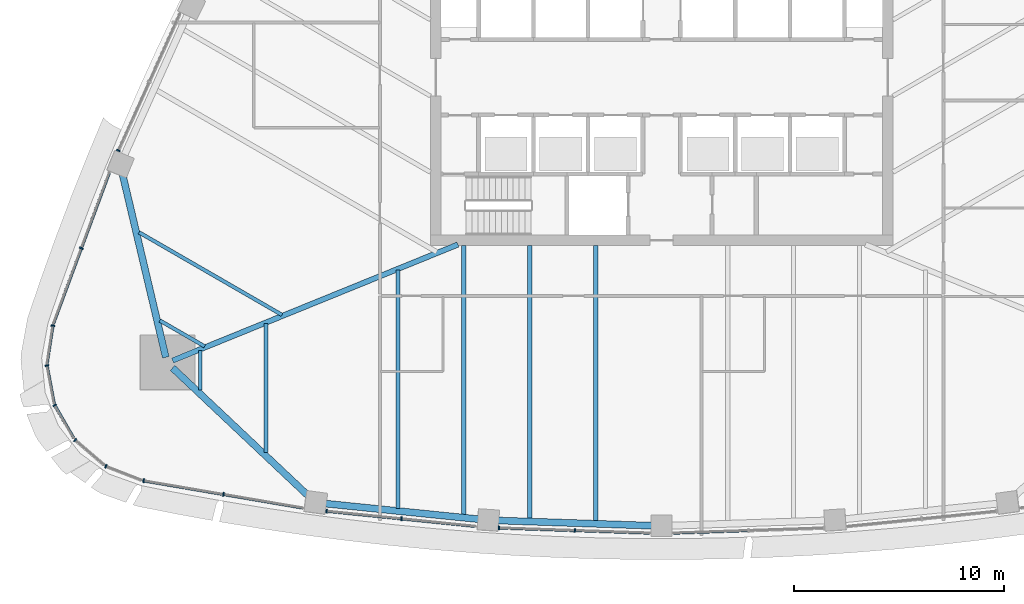
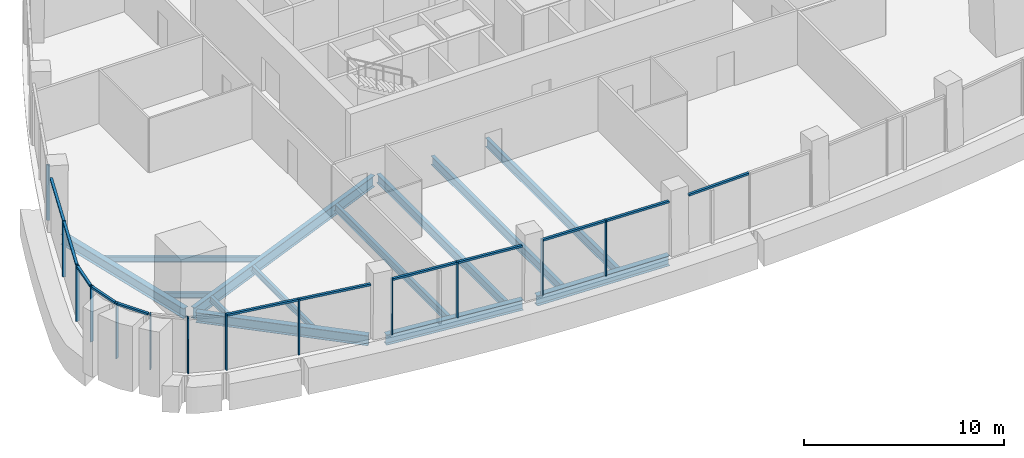
# One storey, part 2 of 16: 25 members, 13 beams, 11 elements without a shape of their own.
"""IFC4 building model written with IfcOpenShell, lengths in metres."""

from ifc_helpers import new_model, si_unit, direction, frame, origin, origin_2d, place, context, subcontext, project, spatial, rectangle, i_section, extrude, material, layer, layer_set, material_profile, profile_set, type_object, element, aggregate, save


model = new_model("IFC4")

# Units and contexts
model_context = context("Model", 3, precision=1e-05, world=origin(), true_north=direction((0.0, 1.0)))
body_context = subcontext(model_context, "Body", "Model", "MODEL_VIEW")
ifc_project = project(units=[si_unit("LENGTHUNIT", "METRE"), si_unit("AREAUNIT", "SQUARE_METRE"), si_unit("VOLUMEUNIT", "CUBIC_METRE"), si_unit("PLANEANGLEUNIT", "RADIAN"), si_unit("MASSUNIT", "GRAM", prefix="KILO")], contexts=[model_context])

# Site, building, storey
site_placement = place(None, origin())
site = spatial("IfcSite", under=ifc_project, at=site_placement, CompositionType="ELEMENT")
building_placement = place(site_placement, origin())
building = spatial("IfcBuilding", under=site, at=building_placement, Name="Sierra Prisma Convention Tower", CompositionType="ELEMENT")
storey_placement = place(building_placement, frame((0.0, 0.0, 181.800048828125)))
storey = spatial("IfcBuildingStorey", under=building, at=storey_placement, Name="L40", CompositionType="ELEMENT", Elevation=181.800048828125)

# Curtain wall, members
ifc_material_1 = material(Name="Aluminium and glass curtain wall", Category="aluminium")
ifc_layer = layer(ifc_material_1, 0.179931640625)
ifc_layer_set = layer_set([ifc_layer], Name="CW-1 Plain shaft curtain wall")
curtain_wall_type = type_object("IfcCurtainWallType", Name="CW-1 Plain shaft curtain wall", PredefinedType="NOTDEFINED", material=ifc_layer_set)
curtain_wall_1_placement = place(storey_placement, origin())
curtain_wall_1 = element("IfcCurtainWall", 1, at=curtain_wall_1_placement, inside=storey, type_object=curtain_wall_type, Name="CW-1 S1 L40", PredefinedType="NOTDEFINED")
ifc_material_2 = material(Name="Aluminium 6063-T6 bronze anodised", Category="aluminium")
ifc_material_profile_1 = material_profile(ifc_material_2, rectangle(XDim=0.179931640625, YDim=0.070068359375, at=origin_2d()), Name="ALU MULLION 70x180")
ifc_profile_set_1 = profile_set([ifc_material_profile_1], Name="Aluminium 6063-T6 bronze anodised")
member_type_1 = type_object("IfcMemberType", Name="CW mullion bronze", PredefinedType="MULLION", material=ifc_profile_set_1)
member_1_placement = place(storey_placement, frame((-24.640869140625, -19.191162109375, 0.0), z_axis=(0.0, 0.0, 1.0), x_axis=(0.168186649063, 0.985755167918, 0.0)))
member_1 = element("IfcMember", 2, at=member_1_placement, type_object=member_type_1, Name="CW-1 mullion S1.1", PredefinedType="MULLION", context=body_context, shape_type="SweptSolid", body=[
    extrude(rectangle(XDim=0.179931640625, YDim=0.070068359375, at=origin_2d()), origin(), (0.0, 0.0, 1.0), 3.39990234375),
])
member_2_placement = place(storey_placement, frame((-20.840576171875, -19.83935546875, 0.0), z_axis=(0.0, 0.0, 1.0), x_axis=(0.168186649063, 0.985755167918, 0.0)))
member_2 = element("IfcMember", 3, at=member_2_placement, type_object=member_type_1, Name="CW-1 mullion S1.2", PredefinedType="MULLION", context=body_context, shape_type="SweptSolid", body=[
    extrude(rectangle(XDim=0.179931640625, YDim=0.070068359375, at=origin_2d()), origin(), (0.0, 0.0, 1.0), 3.39990234375),
])

curtain_wall_2_placement = place(storey_placement, origin())
curtain_wall_2 = element("IfcCurtainWall", 4, at=curtain_wall_2_placement, inside=storey, type_object=curtain_wall_type, Name="CW-1 S2 L40", PredefinedType="NOTDEFINED")
member_3_placement = place(storey_placement, frame((-15.9365234375, -20.636474609375, 0.0), z_axis=(0.0, 0.0, 1.0), x_axis=(0.101220250094, 0.99486404145, 0.0)))
member_3 = element("IfcMember", 5, at=member_3_placement, type_object=member_type_1, Name="CW-1 mullion S2.1", PredefinedType="MULLION", context=body_context, shape_type="SweptSolid", body=[
    extrude(rectangle(XDim=0.179931640625, YDim=0.070068359375, at=origin_2d()), origin(), (0.0, 0.0, 1.0), 3.39990234375),
])
member_4_placement = place(storey_placement, frame((-12.3720703125, -20.9990234375, 0.0), z_axis=(0.0, 0.0, 1.0), x_axis=(0.101220250094, 0.99486404145, 0.0)))
member_4 = element("IfcMember", 6, at=member_4_placement, type_object=member_type_1, Name="CW-1 mullion S2.2", PredefinedType="MULLION", context=body_context, shape_type="SweptSolid", body=[
    extrude(rectangle(XDim=0.179931640625, YDim=0.070068359375, at=origin_2d()), origin(), (0.0, 0.0, 1.0), 3.39990234375),
])

curtain_wall_3_placement = place(storey_placement, origin())
curtain_wall_3 = element("IfcCurtainWall", 7, at=curtain_wall_3_placement, inside=storey, type_object=curtain_wall_type, Name="CW-1 S3 L40", PredefinedType="NOTDEFINED")
member_5_placement = place(storey_placement, frame((-7.728271484375, -21.434326171875, 0.0), z_axis=(0.0, 0.0, 1.0), x_axis=(0.033791530634, 0.999428903153, 0.0)))
member_5 = element("IfcMember", 8, at=member_5_placement, type_object=member_type_1, Name="CW-1 mullion S3.1", PredefinedType="MULLION", context=body_context, shape_type="SweptSolid", body=[
    extrude(rectangle(XDim=0.179931640625, YDim=0.070068359375, at=origin_2d()), origin(), (0.0, 0.0, 1.0), 3.39990234375),
])
member_6_placement = place(storey_placement, frame((-4.131591796875, -21.555908203125, 0.0), z_axis=(0.0, 0.0, 1.0), x_axis=(0.033791530634, 0.999428903153, 0.0)))
member_6 = element("IfcMember", 9, at=member_6_placement, type_object=member_type_1, Name="CW-1 mullion S3.2", PredefinedType="MULLION", context=body_context, shape_type="SweptSolid", body=[
    extrude(rectangle(XDim=0.179931640625, YDim=0.070068359375, at=origin_2d()), origin(), (0.0, 0.0, 1.0), 3.39990234375),
])

# Curtain wall, member
curtain_wall_4_placement = place(storey_placement, origin())
curtain_wall_4 = element("IfcCurtainWall", 10, at=curtain_wall_4_placement, inside=storey, type_object=curtain_wall_type, Name="CW-1 NW5 L40", PredefinedType="NOTDEFINED")
member_7_placement = place(storey_placement, frame((-25.83984375, -3.483154296875, 0.0), z_axis=(0.0, 0.0, 1.0), x_axis=(0.912187658255, -0.409772712767, 0.0)))
member_7 = element("IfcMember", 11, at=member_7_placement, type_object=member_type_1, Name="CW-1 mullion NW5.3", PredefinedType="MULLION", context=body_context, shape_type="SweptSolid", body=[
    extrude(rectangle(XDim=0.179931640625, YDim=0.070068359375, at=origin_2d()), origin(), (0.0, 0.0, 1.0), 3.39990234375),
])
aggregate(curtain_wall_4, [member_7])

curtain_wall_5_placement = place(storey_placement, origin())
curtain_wall_5 = element("IfcCurtainWall", 12, at=curtain_wall_5_placement, inside=storey, type_object=curtain_wall_type, Name="CW-1 NW6 L40", PredefinedType="NOTDEFINED")
member_8_placement = place(storey_placement, frame((-27.601806640625, -8.128662109375, 0.0), z_axis=(0.0, 0.0, 1.0), x_axis=(0.93778234186, -0.347223673293, 0.0)))
member_8 = element("IfcMember", 13, at=member_8_placement, type_object=member_type_1, Name="CW-1 mullion NW6.2", PredefinedType="MULLION", context=body_context, shape_type="SweptSolid", body=[
    extrude(rectangle(XDim=0.179931640625, YDim=0.070068359375, at=origin_2d()), origin(), (0.0, 0.0, 1.0), 3.39990234375),
])

curtain_wall_6_placement = place(storey_placement, origin())
curtain_wall_6 = element("IfcCurtainWall", 14, at=curtain_wall_6_placement, inside=storey, type_object=curtain_wall_type, Name="CW-1 SW1 L40", PredefinedType="NOTDEFINED")
member_9_placement = place(storey_placement, frame((-28.957763671875, -11.8115234375, 0.0), z_axis=(0.0, 0.0, 1.0), x_axis=(0.988480967169, -0.151345226367, 0.0)))
member_9 = element("IfcMember", 15, at=member_9_placement, type_object=member_type_1, Name="CW-1 mullion SW1.1", PredefinedType="MULLION", context=body_context, shape_type="SweptSolid", body=[
    extrude(rectangle(XDim=0.179931640625, YDim=0.070068359375, at=origin_2d()), origin(), (0.0, 0.0, 1.0), 3.39990234375),
])

curtain_wall_7_placement = place(storey_placement, origin())
curtain_wall_7 = element("IfcCurtainWall", 16, at=curtain_wall_7_placement, inside=storey, type_object=curtain_wall_type, Name="CW-1 SW2 L40", PredefinedType="NOTDEFINED")
member_10_placement = place(storey_placement, frame((-29.237060546875, -13.71240234375, 0.0), z_axis=(0.0, 0.0, 1.0), x_axis=(0.982782336508, 0.184767094063, 0.0)))
member_10 = element("IfcMember", 17, at=member_10_placement, type_object=member_type_1, Name="CW-1 mullion SW2.1", PredefinedType="MULLION", context=body_context, shape_type="SweptSolid", body=[
    extrude(rectangle(XDim=0.179931640625, YDim=0.070068359375, at=origin_2d()), origin(), (0.0, 0.0, 1.0), 3.39990234375),
])

curtain_wall_8_placement = place(storey_placement, origin())
curtain_wall_8 = element("IfcCurtainWall", 18, at=curtain_wall_8_placement, inside=storey, type_object=curtain_wall_type, Name="CW-1 SW3 L40", PredefinedType="NOTDEFINED")
member_11_placement = place(storey_placement, frame((-28.87060546875, -15.598388671875, 0.0), z_axis=(0.0, 0.0, 1.0), x_axis=(0.866025403784, 0.5, 0.0)))
member_11 = element("IfcMember", 19, at=member_11_placement, type_object=member_type_1, Name="CW-1 mullion SW3.1", PredefinedType="MULLION", context=body_context, shape_type="SweptSolid", body=[
    extrude(rectangle(XDim=0.179931640625, YDim=0.070068359375, at=origin_2d()), origin(), (0.0, 0.0, 1.0), 3.39990234375),
])

curtain_wall_9_placement = place(storey_placement, origin())
curtain_wall_9 = element("IfcCurtainWall", 20, at=curtain_wall_9_placement, inside=storey, type_object=curtain_wall_type, Name="CW-1 SW4 L40", PredefinedType="NOTDEFINED")
member_12_placement = place(storey_placement, frame((-27.89990234375, -17.256591796875, 0.0), z_axis=(0.0, 0.0, 1.0), x_axis=(0.651404165496, 0.758730922775, 0.0)))
member_12 = element("IfcMember", 21, at=member_12_placement, type_object=member_type_1, Name="CW-1 mullion SW4.1", PredefinedType="MULLION", context=body_context, shape_type="SweptSolid", body=[
    extrude(rectangle(XDim=0.179931640625, YDim=0.070068359375, at=origin_2d()), origin(), (0.0, 0.0, 1.0), 3.39990234375),
])
aggregate(curtain_wall_9, [member_12])

curtain_wall_10_placement = place(storey_placement, origin())
curtain_wall_10 = element("IfcCurtainWall", 22, at=curtain_wall_10_placement, inside=storey, type_object=curtain_wall_type, Name="CW-1 SW5 L40", PredefinedType="NOTDEFINED")
member_13_placement = place(storey_placement, frame((-26.4345703125, -18.49951171875, 0.0), z_axis=(0.0, 0.0, 1.0), x_axis=(0.363171672809, 0.93172224191, 0.0)))
member_13 = element("IfcMember", 23, at=member_13_placement, type_object=member_type_1, Name="CW-1 mullion SW5.1", PredefinedType="MULLION", context=body_context, shape_type="SweptSolid", body=[
    extrude(rectangle(XDim=0.179931640625, YDim=0.070068359375, at=origin_2d()), origin(), (0.0, 0.0, 1.0), 3.39990234375),
])
aggregate(curtain_wall_10, [member_13])

# Member
ifc_material_3 = material(Name="Aluminium 6063-T6 bronze anodised", Category="aluminium")
ifc_material_profile_2 = material_profile(ifc_material_3, rectangle(XDim=0.139892578125, YDim=0.1201171875, at=origin_2d()), Name="ALU TRANSOM 120x140")
ifc_profile_set_2 = profile_set([ifc_material_profile_2], Name="Aluminium 6063-T6 bronze anodised")
member_type_2 = type_object("IfcMemberType", Name="CW transom bronze", PredefinedType="USERDEFINED", material=ifc_profile_set_2)
member_14_placement = place(storey_placement, frame((-24.606201171875, -19.197021484375, 3.33984375), z_axis=(0.985760947593, -0.168152770423, 0.0), x_axis=(0.168152770423, 0.985760947593, 0.0)))
member_14 = element("IfcMember", 24, at=member_14_placement, type_object=member_type_2, Name="CW-1 transom S1.1", ObjectType="TRANSOM", PredefinedType="USERDEFINED", context=body_context, shape_type="SweptSolid", body=[
    extrude(rectangle(XDim=0.139892578125, YDim=0.1201171875, at=origin_2d()), origin(), (0.0, 0.0, 1.0), 3.78515625),
])

member_15_placement = place(storey_placement, frame((-20.80615234375, -19.84521484375, 3.33984375), z_axis=(0.985750254216, -0.168215446116, 0.0), x_axis=(0.168215446116, 0.985750254216, 0.0)))
member_15 = element("IfcMember", 25, at=member_15_placement, type_object=member_type_2, Name="CW-1 transom S1.2", ObjectType="TRANSOM", PredefinedType="USERDEFINED", context=body_context, shape_type="SweptSolid", body=[
    extrude(rectangle(XDim=0.139892578125, YDim=0.1201171875, at=origin_2d()), origin(), (0.0, 0.0, 1.0), 3.78515625),
])

aggregate(curtain_wall_1, [member_1, member_2, member_14, member_15])

member_16_placement = place(storey_placement, frame((-15.901611328125, -20.639892578125, 3.33984375), z_axis=(0.994859465893, -0.101265211807, 0.0), x_axis=(0.101265211807, 0.994859465893, 0.0)))
member_16 = element("IfcMember", 26, at=member_16_placement, type_object=member_type_2, Name="CW-1 transom S2.1", ObjectType="TRANSOM", PredefinedType="USERDEFINED", context=body_context, shape_type="SweptSolid", body=[
    extrude(rectangle(XDim=0.139892578125, YDim=0.1201171875, at=origin_2d()), origin(), (0.0, 0.0, 1.0), 3.5126953125),
])

member_17_placement = place(storey_placement, frame((-12.337158203125, -21.002685546875, 3.33984375), z_axis=(0.994866465575, -0.101196421257, 0.0), x_axis=(0.101196421257, 0.994866465575, 0.0)))
member_17 = element("IfcMember", 27, at=member_17_placement, type_object=member_type_2, Name="CW-1 transom S2.2", ObjectType="TRANSOM", PredefinedType="USERDEFINED", context=body_context, shape_type="SweptSolid", body=[
    extrude(rectangle(XDim=0.139892578125, YDim=0.1201171875, at=origin_2d()), origin(), (0.0, 0.0, 1.0), 3.5126953125),
])

aggregate(curtain_wall_2, [member_3, member_4, member_16, member_17])

member_18_placement = place(storey_placement, frame((-7.693359375, -21.435546875, 3.33984375), z_axis=(0.999427573838, -0.033830824007, 0.0), x_axis=(0.033830824007, 0.999427573838, 0.0)))
member_18 = element("IfcMember", 28, at=member_18_placement, type_object=member_type_2, Name="CW-1 transom S3.1", ObjectType="TRANSOM", PredefinedType="USERDEFINED", context=body_context, shape_type="SweptSolid", body=[
    extrude(rectangle(XDim=0.139892578125, YDim=0.1201171875, at=origin_2d()), origin(), (0.0, 0.0, 1.0), 3.52880859375),
])

member_19_placement = place(storey_placement, frame((-4.096435546875, -21.55712890625, 3.33984375), z_axis=(0.999427573838, -0.033830824007, 0.0), x_axis=(0.033830824007, 0.999427573838, 0.0)))
member_19 = element("IfcMember", 29, at=member_19_placement, type_object=member_type_2, Name="CW-1 transom S3.2", ObjectType="TRANSOM", PredefinedType="USERDEFINED", context=body_context, shape_type="SweptSolid", body=[
    extrude(rectangle(XDim=0.139892578125, YDim=0.1201171875, at=origin_2d()), origin(), (0.0, 0.0, 1.0), 3.52880859375),
])

aggregate(curtain_wall_3, [member_5, member_6, member_18, member_19])

# Curtain wall, member
curtain_wall_11_placement = place(storey_placement, origin())
curtain_wall_11 = element("IfcCurtainWall", 30, at=curtain_wall_11_placement, inside=storey, type_object=curtain_wall_type, Name="CW-1 S4 L40", PredefinedType="NOTDEFINED")
member_20_placement = place(storey_placement, frame((0.569580078125, -21.676513671875, 3.33984375), z_axis=(0.999427573838, 0.033830824007, 0.0), x_axis=(-0.033830824007, 0.999427573838, 0.0)))
member_20 = element("IfcMember", 31, at=member_20_placement, type_object=member_type_2, Name="CW-1 transom S4.1", ObjectType="TRANSOM", PredefinedType="USERDEFINED", context=body_context, shape_type="SweptSolid", body=[
    extrude(rectangle(XDim=0.139892578125, YDim=0.1201171875, at=origin_2d()), origin(), (0.0, 0.0, 1.0), 3.52880859375),
])
aggregate(curtain_wall_11, [member_20])

# Member
member_21_placement = place(storey_placement, frame((-26.275390625, -4.54638671875, 3.33984375), z_axis=(-0.34721141592, -0.937786880189, 0.0), x_axis=(0.937786880189, -0.34721141592, 0.0)))
member_21 = element("IfcMember", 32, at=member_21_placement, type_object=member_type_2, Name="CW-1 transom NW6.1", ObjectType="TRANSOM", PredefinedType="USERDEFINED", context=body_context, shape_type="SweptSolid", body=[
    extrude(rectangle(XDim=0.139892578125, YDim=0.1201171875, at=origin_2d()), origin(), (0.0, 0.0, 1.0), 3.78515625),
])

member_22_placement = place(storey_placement, frame((-27.614013671875, -8.16162109375, 3.33984375), z_axis=(-0.34721141592, -0.937786880189, 0.0), x_axis=(0.937786880189, -0.34721141592, 0.0)))
member_22 = element("IfcMember", 33, at=member_22_placement, type_object=member_type_2, Name="CW-1 transom NW6.2", ObjectType="TRANSOM", PredefinedType="USERDEFINED", context=body_context, shape_type="SweptSolid", body=[
    extrude(rectangle(XDim=0.139892578125, YDim=0.1201171875, at=origin_2d()), origin(), (0.0, 0.0, 1.0), 3.78515625),
])

aggregate(curtain_wall_5, [member_8, member_21, member_22])

member_23_placement = place(storey_placement, frame((-28.963134765625, -11.845947265625, 3.33984375), z_axis=(-0.151265064027, -0.98849323741, 0.0), x_axis=(0.98849323741, -0.151265064027, 0.0)))
member_23 = element("IfcMember", 34, at=member_23_placement, type_object=member_type_2, Name="CW-1 transom SW1.1", ObjectType="TRANSOM", PredefinedType="USERDEFINED", context=body_context, shape_type="SweptSolid", body=[
    extrude(rectangle(XDim=0.139892578125, YDim=0.1201171875, at=origin_2d()), origin(), (0.0, 0.0, 1.0), 1.783447265625),
])

aggregate(curtain_wall_6, [member_9, member_23])

member_24_placement = place(storey_placement, frame((-29.230712890625, -13.746826171875, 3.33984375), z_axis=(0.184809229532, -0.982774413932, 0.0), x_axis=(0.982774413932, 0.184809229532, 0.0)))
member_24 = element("IfcMember", 35, at=member_24_placement, type_object=member_type_2, Name="CW-1 transom SW2.1", ObjectType="TRANSOM", PredefinedType="USERDEFINED", context=body_context, shape_type="SweptSolid", body=[
    extrude(rectangle(XDim=0.139892578125, YDim=0.1201171875, at=origin_2d()), origin(), (0.0, 0.0, 1.0), 1.783447265625),
])

aggregate(curtain_wall_7, [member_10, member_24])

member_25_placement = place(storey_placement, frame((-28.853271484375, -15.62890625, 3.33984375), z_axis=(0.500026652407, -0.866010015463, 0.0), x_axis=(0.866010015463, 0.500026652407, 0.0)))
member_25 = element("IfcMember", 36, at=member_25_placement, type_object=member_type_2, Name="CW-1 transom SW3.1", ObjectType="TRANSOM", PredefinedType="USERDEFINED", context=body_context, shape_type="SweptSolid", body=[
    extrude(rectangle(XDim=0.139892578125, YDim=0.1201171875, at=origin_2d()), origin(), (0.0, 0.0, 1.0), 1.783203125),
])

aggregate(curtain_wall_8, [member_11, member_25])

# Beams
ifc_material_4 = material(Name="Steel ASTM A992 Gr 50", Category="steel")
ifc_material_profile_3 = material_profile(ifc_material_4, i_section(OverallWidth=0.172119140625, OverallDepth=0.35791015625, WebThickness=0.0078125, FlangeThickness=0.01318359375, at=origin_2d()), Name="W360x57")
ifc_profile_set_3 = profile_set([ifc_material_profile_3], Name="Steel ASTM A992 Gr 50")
beam_type_1 = type_object("IfcBeamType", Name="Floor joist W360x57", PredefinedType="JOIST", material=ifc_profile_set_3)
beam_1_placement = place(storey_placement, frame((-21.954833984375, -14.885498046875, -0.3291015625), z_axis=(0.0, 1.0, 0.0), x_axis=(-1.0, 0.0, 0.0)))
element("IfcBeam", 37, at=beam_1_placement, inside=storey, type_object=beam_type_1, Name="Floor joist L40 S01", PredefinedType="JOIST", context=body_context, shape_type="SweptSolid", body=[
    extrude(i_section(OverallWidth=0.172119140625, OverallDepth=0.35791015625, WebThickness=0.0078125, FlangeThickness=0.01318359375, at=origin_2d()), origin(), (0.0, 0.0, 1.0), 1.887451171875),
])
beam_2_placement = place(storey_placement, frame((-18.818359375, -17.8408203125, -0.3291015625), z_axis=(0.0, 1.0, 0.0), x_axis=(-1.0, 0.0, 0.0)))
element("IfcBeam", 38, at=beam_2_placement, inside=storey, type_object=beam_type_1, Name="Floor joist L40 S02", PredefinedType="JOIST", context=body_context, shape_type="SweptSolid", body=[
    extrude(i_section(OverallWidth=0.172119140625, OverallDepth=0.35791015625, WebThickness=0.0078125, FlangeThickness=0.01318359375, at=origin_2d()), origin(), (0.0, 0.0, 1.0), 6.118408203125),
])
beam_3_placement = place(storey_placement, frame((-24.85986328125, -7.376708984375, -0.3291015625), z_axis=(0.866025114386, -0.500000501253, 0.0), x_axis=(0.500000501253, 0.866025114386, 0.0)))
element("IfcBeam", 39, at=beam_3_placement, inside=storey, type_object=beam_type_1, Name="Floor joist L40 NW14", PredefinedType="JOIST", context=body_context, shape_type="SweptSolid", body=[
    extrude(i_section(OverallWidth=0.172119140625, OverallDepth=0.35791015625, WebThickness=0.0078125, FlangeThickness=0.01318359375, at=origin_2d()), origin(), (0.0, 0.0, 1.0), 7.85400390625),
])
beam_4_placement = place(storey_placement, frame((-23.86865234375, -11.570556640625, -0.3291015625), z_axis=(0.865998803033, -0.500046071023, 0.0), x_axis=(0.500046071023, 0.865998803033, 0.0)))
element("IfcBeam", 40, at=beam_4_placement, inside=storey, type_object=beam_type_1, Name="Floor joist L40 NW15", PredefinedType="JOIST", context=body_context, shape_type="SweptSolid", body=[
    extrude(i_section(OverallWidth=0.172119140625, OverallDepth=0.35791015625, WebThickness=0.0078125, FlangeThickness=0.01318359375, at=origin_2d()), origin(), (0.0, 0.0, 1.0), 2.459716796875),
])
ifc_material_5 = material(Name="Steel ASTM A992 Gr 50", Category="steel")
ifc_material_profile_4 = material_profile(ifc_material_5, i_section(OverallWidth=0.18994140625, OverallDepth=0.45703125, WebThickness=0.009033203125, FlangeThickness=0.014404296875, at=origin_2d()), Name="W460x74")
ifc_profile_set_4 = profile_set([ifc_material_profile_4], Name="Steel ASTM A992 Gr 50")
beam_type_2 = type_object("IfcBeamType", Name="Floor joist W460x74", PredefinedType="JOIST", material=ifc_profile_set_4)
beam_5_placement = place(storey_placement, frame((-12.545654296875, -20.5166015625, -0.378662109375), z_axis=(0.0, 1.0, 0.0), x_axis=(-1.0, 0.0, 0.0)))
element("IfcBeam", 41, at=beam_5_placement, inside=storey, type_object=beam_type_2, Name="Floor joist L40 S04", PredefinedType="JOIST", context=body_context, shape_type="SweptSolid", body=[
    extrude(i_section(OverallWidth=0.18994140625, OverallDepth=0.45703125, WebThickness=0.009033203125, FlangeThickness=0.014404296875, at=origin_2d()), origin(), (0.0, 0.0, 1.0), 11.34521484375),
])
ifc_material_6 = material(Name="Steel ASTM A992 Gr 50", Category="steel")
ifc_material_profile_5 = material_profile(ifc_material_6, i_section(OverallWidth=0.208984375, OverallDepth=0.532958984375, WebThickness=0.01025390625, FlangeThickness=0.015625, at=origin_2d()), Name="W530x92")
ifc_profile_set_5 = profile_set([ifc_material_profile_5], Name="Steel ASTM A992 Gr 50")
beam_type_3 = type_object("IfcBeamType", Name="Floor joist W530x92", PredefinedType="JOIST", material=ifc_profile_set_5)
beam_6_placement = place(storey_placement, frame((-9.4091796875, -20.835693359375, -0.41650390625), z_axis=(0.0, 1.0, 0.0), x_axis=(-1.0, 0.0, 0.0)))
element("IfcBeam", 42, at=beam_6_placement, inside=storey, type_object=beam_type_3, Name="Floor joist L40 S05", PredefinedType="JOIST", context=body_context, shape_type="SweptSolid", body=[
    extrude(i_section(OverallWidth=0.208984375, OverallDepth=0.532958984375, WebThickness=0.01025390625, FlangeThickness=0.015625, at=origin_2d()), origin(), (0.0, 0.0, 1.0), 12.835693359375),
])
beam_7_placement = place(storey_placement, frame((-6.272705078125, -21.02099609375, -0.41650390625), z_axis=(0.0, 1.0, 0.0), x_axis=(-1.0, 0.0, 0.0)))
element("IfcBeam", 43, at=beam_7_placement, inside=storey, type_object=beam_type_3, Name="Floor joist L40 S06", PredefinedType="JOIST", context=body_context, shape_type="SweptSolid", body=[
    extrude(i_section(OverallWidth=0.208984375, OverallDepth=0.532958984375, WebThickness=0.01025390625, FlangeThickness=0.015625, at=origin_2d()), origin(), (0.0, 0.0, 1.0), 13.02099609375),
])
beam_8_placement = place(storey_placement, frame((-3.136474609375, -21.126953125, -0.41650390625), z_axis=(0.0, 1.0, 0.0), x_axis=(-1.0, 0.0, 0.0)))
element("IfcBeam", 44, at=beam_8_placement, inside=storey, type_object=beam_type_3, Name="Floor joist L40 S07", PredefinedType="JOIST", context=body_context, shape_type="SweptSolid", body=[
    extrude(i_section(OverallWidth=0.208984375, OverallDepth=0.532958984375, WebThickness=0.01025390625, FlangeThickness=0.015625, at=origin_2d()), origin(), (0.0, 0.0, 1.0), 13.126953125),
])
ifc_material_7 = material(Name="Steel ASTM A992 Gr 50", Category="steel")
ifc_material_profile_6 = material_profile(ifc_material_7, i_section(OverallWidth=0.25390625, OverallDepth=0.68408203125, WebThickness=0.012451171875, FlangeThickness=0.018798828125, at=origin_2d()), Name="W690x140")
ifc_profile_set_6 = profile_set([ifc_material_profile_6], Name="Steel ASTM A992 Gr 50")
beam_type_4 = type_object("IfcBeamType", Name="Radial girder W690x140", PredefinedType="BEAM", material=ifc_profile_set_6)
beam_9_placement = place(storey_placement, frame((-23.262939453125, -13.475341796875, -0.491943359375), z_axis=(0.926324177359, 0.376727379468, 0.0), x_axis=(-0.376727379468, 0.926324177359, 0.0)))
element("IfcBeam", 45, at=beam_9_placement, inside=storey, type_object=beam_type_4, Name="Radial girder L40 SW", PredefinedType="BEAM", context=body_context, shape_type="SweptSolid", body=[
    extrude(i_section(OverallWidth=0.25390625, OverallDepth=0.68408203125, WebThickness=0.012451171875, FlangeThickness=0.018798828125, at=origin_2d()), origin(), (0.0, 0.0, 1.0), 14.65380859375),
])
ifc_material_8 = material(Name="Steel ASTM A992 Gr 50", Category="steel")
ifc_material_profile_7 = material_profile(ifc_material_8, i_section(OverallWidth=0.324951171875, OverallDepth=0.615966796875, WebThickness=0.013916015625, FlangeThickness=0.021484375, at=origin_2d()), Name="W610x174")
ifc_profile_set_7 = profile_set([ifc_material_profile_7], Name="Steel ASTM A992 Gr 50")
beam_type_5 = type_object("IfcBeamType", Name="Spandrel beam W610x174", PredefinedType="BEAM", material=ifc_profile_set_7)
beam_10_placement = place(storey_placement, frame((-23.262939453125, -13.825927734375, -0.4580078125), z_axis=(0.727773604918, -0.685817453835, 0.0), x_axis=(0.685817453835, 0.727773604918, 0.0)))
element("IfcBeam", 46, at=beam_10_placement, inside=storey, type_object=beam_type_5, Name="Spandrel L40-01", PredefinedType="BEAM", context=body_context, shape_type="SweptSolid", body=[
    extrude(i_section(OverallWidth=0.324951171875, OverallDepth=0.615966796875, WebThickness=0.013916015625, FlangeThickness=0.021484375, at=origin_2d()), origin(), (0.0, 0.0, 1.0), 8.8447265625),
])
for number, where, z_axis, x_axis, name in (
    (47, (-16.087646484375, -20.26953125, -0.4580078125), (0.994863501831, -0.101225553712, 0.0), (0.101225553712, 0.994863501831, 0.0), "Spandrel L40-02"),
    (48, (-7.871826171875, -21.07958984375, -0.4580078125), (0.999429474359, -0.03377463224, 0.0), (0.03377463224, 0.999429474359, 0.0), "Spandrel L40-03"),
):
    element("IfcBeam", number, at=place(storey_placement, frame(where, z_axis=z_axis, x_axis=x_axis)), inside=storey, type_object=beam_type_5, Name=name, PredefinedType="BEAM", context=body_context, shape_type="SweptSolid", body=[
        extrude(i_section(OverallWidth=0.324951171875, OverallDepth=0.615966796875, WebThickness=0.013916015625, FlangeThickness=0.021484375, at=origin_2d()), origin(), (0.0, 0.0, 1.0), 7.49609375),
    ])
beam_11_placement = place(storey_placement, frame((-25.6396484375, -4.625732421875, -0.4580078125), z_axis=(0.230016984547, -0.973186614591, 0.0), x_axis=(0.973186614591, 0.230016984547, 0.0)))
element("IfcBeam", 49, at=beam_11_placement, inside=storey, type_object=beam_type_5, Name="Spandrel L40-18", PredefinedType="BEAM", context=body_context, shape_type="SweptSolid", body=[
    extrude(i_section(OverallWidth=0.324951171875, OverallDepth=0.615966796875, WebThickness=0.013916015625, FlangeThickness=0.021484375, at=origin_2d()), origin(), (0.0, 0.0, 1.0), 8.934814453125),
])

save(model, "model.ifc")
